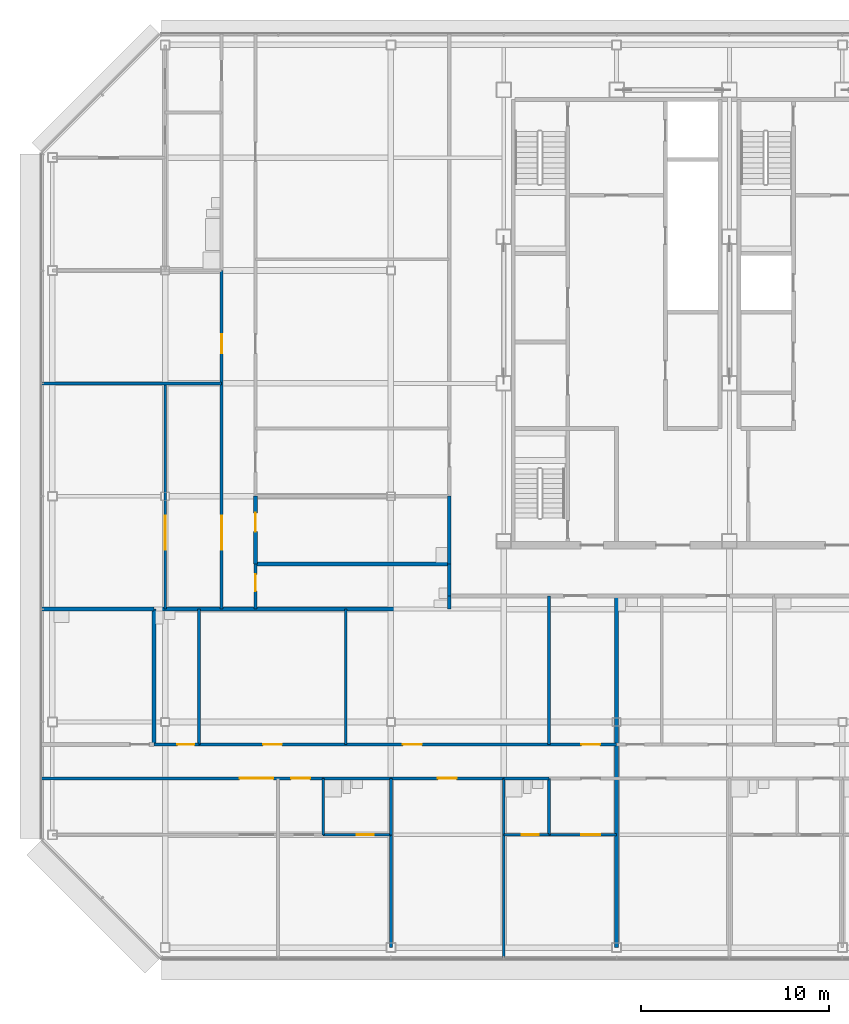
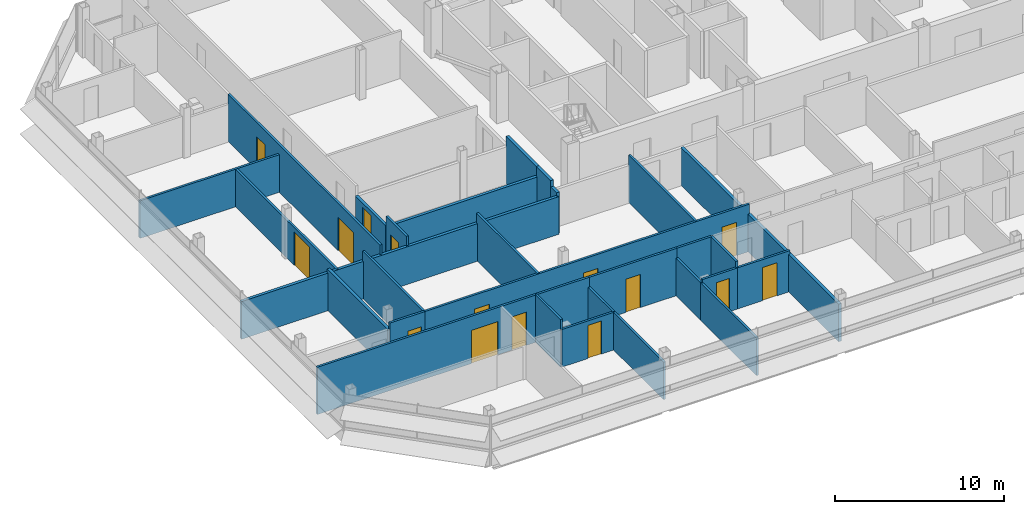
# One storey, part 21 of 28: 31 walls, 15 doors, 15 openings.
"""IFC4 building model written with IfcOpenShell, lengths in metres."""

from ifc_helpers import new_model, si_unit, direction, frame, frame_2d, origin, place, context, subcontext, project, spatial, rectangle, extrude, material, layer, layer_set, type_object, element, fill, save


model = new_model("IFC4")

# Units and contexts
model_context = context("Model", 3, precision=1e-05, world=origin(), true_north=direction((0.0, 1.0)))
body_context = subcontext(model_context, "Body", "Model", "MODEL_VIEW")
ifc_project = project(units=[si_unit("LENGTHUNIT", "METRE"), si_unit("AREAUNIT", "SQUARE_METRE"), si_unit("VOLUMEUNIT", "CUBIC_METRE"), si_unit("PLANEANGLEUNIT", "RADIAN"), si_unit("MASSUNIT", "GRAM", prefix="KILO")], contexts=[model_context])

# Site, building, storey
site_placement = place(None, origin())
site = spatial("IfcSite", under=ifc_project, at=site_placement, CompositionType="ELEMENT")
building_placement = place(site_placement, origin())
building = spatial("IfcBuilding", under=site, at=building_placement, Name="Sorahane Residences", CompositionType="ELEMENT")
storey_placement = place(building_placement, frame((0.0, 0.0, 308.800048828125)))
storey = spatial("IfcBuildingStorey", under=building, at=storey_placement, Name="L73", CompositionType="ELEMENT", Elevation=308.800048828125)

# Walls
ifc_material_1 = material(Name="Concrete blockwork C20 wall", Category="masonry")
ifc_layer_1 = layer(ifc_material_1, 0.199951171875)
ifc_layer_set_1 = layer_set([ifc_layer_1], Name="Corridor wall 200 EI 120")
wall_type_1 = type_object("IfcWallType", Name="Corridor wall 200 EI 120", PredefinedType="SOLIDWALL", material=ifc_layer_set_1)
wall_1_placement = place(storey_placement, frame((3.10009765625, 18.699951171875, 0.0), z_axis=(0.0, 0.0, 1.0), x_axis=(0.0, 1.0, 0.0)))
element("IfcWall", 1, at=wall_1_placement, inside=storey, type_object=wall_type_1, Name="L73 corridor wall", PredefinedType="SOLIDWALL", context=body_context, shape_type="SweptSolid", body=[
    extrude(rectangle(XDim=1.699951171875, YDim=0.199951171875, at=frame_2d((0.85009765625, 0.0))), origin(), (0.0, 0.0, 1.0), 3.419921875),
])
ifc_material_2 = material(Name="Concrete blockwork C20 wall", Category="masonry")
ifc_layer_2 = layer(ifc_material_2, 0.199951171875)
ifc_layer_set_2 = layer_set([ifc_layer_2], Name="Kitchen wall 200 EI 180")
wall_type_2 = type_object("IfcWallType", Name="Kitchen wall 200 EI 180", PredefinedType="SOLIDWALL", material=ifc_layer_set_2)
wall_2_placement = place(storey_placement, frame((-12.60009765625, 10.800048828125, 0.0), z_axis=(0.0, 0.0, 1.0), x_axis=(0.0, 1.0, 0.0)))
element("IfcWall", 2, at=wall_2_placement, inside=storey, type_object=wall_type_2, Name="L73 kitchen wall", PredefinedType="SOLIDWALL", context=body_context, shape_type="SweptSolid", body=[
    extrude(rectangle(XDim=7.199951171875, YDim=0.199951171875, at=frame_2d((3.60009765625, 0.0))), origin(), (0.0, 0.0, 1.0), 2.969970703125),
])

# Wall, opening, door
wall_3_placement = place(storey_placement, frame((-7.199951171875, 20.39990234375, 0.0), z_axis=(0.0, 0.0, 1.0), x_axis=(0.0, 1.0, 0.0)))
wall_3 = element("IfcWall", 3, at=wall_3_placement, inside=storey, type_object=wall_type_2, Name="L73 kitchen wall", PredefinedType="SOLIDWALL", context=body_context, shape_type="SweptSolid", body=[
    extrude(rectangle(XDim=3.60009765625, YDim=0.199951171875, at=frame_2d((1.800048828125, 0.0))), origin(), (0.0, 0.0, 1.0), 2.719970703125),
])
opening_1_placement = place(wall_3_placement, frame((1.719970703125, 0.0, 0.0)))
opening_1 = element("IfcOpeningElement", 4, at=opening_1_placement, cuts=wall_3, Name="Opening L73-34", PredefinedType="OPENING", context=body_context, shape_type="SweptSolid", body=[
    extrude(rectangle(XDim=1.0, YDim=2.39990234375, at=frame_2d((0.5, 1.199951171875))), frame((0.0, 0.10986328125, 0.0), z_axis=(0.0, -1.0, 0.0), x_axis=(1.0, 0.0, 0.0)), (0.0, 0.0, 1.0), 0.219970703125),
])
ifc_material_3 = material(Name="Steel", Category="steel")
door_type_1 = type_object("IfcDoorType", Name="Kitchen door 1000x2400 FD120", OperationType="NOTDEFINED", PredefinedType="DOOR", material=ifc_material_3)
door_1_placement = place(opening_1_placement, frame((1.0, 0.0, 0.0), z_axis=(0.0, 0.0, 1.0), x_axis=(-1.0, 0.0, 0.0)))
door_1 = element("IfcDoor", 5, at=door_1_placement, inside=storey, type_object=door_type_1, Name="Kitchen door L73-34", OperationType="SINGLE_SWING_LEFT", OverallHeight=2.39990234375, OverallWidth=1.0, PredefinedType="DOOR", context=body_context, shape_type="SweptSolid", body=[
    extrude(rectangle(XDim=1.0, YDim=2.39990234375, at=frame_2d((0.5, 1.199951171875))), frame((0.0, 0.02490234375, 0.0), z_axis=(0.0, -1.0, 0.0), x_axis=(1.0, 0.0, 0.0)), (0.0, 0.0, 1.0), 0.050048828125),
])
fill(opening_1, door_1)

# Walls
wall_4_placement = place(storey_placement, frame((3.10009765625, 20.39990234375, 0.0), z_axis=(0.0, 0.0, 1.0), x_axis=(0.0, 1.0, 0.0)))
element("IfcWall", 6, at=wall_4_placement, inside=storey, type_object=wall_type_2, Name="L73 kitchen wall", PredefinedType="SOLIDWALL", context=body_context, shape_type="SweptSolid", body=[
    extrude(rectangle(XDim=3.60009765625, YDim=0.199951171875, at=frame_2d((1.800048828125, 0.0))), origin(), (0.0, 0.0, 1.0), 3.419921875),
])
wall_5_placement = place(storey_placement, frame((-18.60009765625, 18.0, 0.0), z_axis=(0.0, 0.0, 1.0), x_axis=(1.0, 0.0, 0.0)))
element("IfcWall", 7, at=wall_5_placement, inside=storey, type_object=wall_type_2, Name="L73 kitchen wall", PredefinedType="SOLIDWALL", context=body_context, shape_type="SweptSolid", body=[
    extrude(rectangle(XDim=6.0, YDim=0.199951171875, at=frame_2d((3.0, 0.0))), origin(), (0.0, 0.0, 1.0), 2.719970703125),
])
wall_6_placement = place(storey_placement, frame((-7.199951171875, 20.39990234375, 0.0), z_axis=(0.0, 0.0, 1.0), x_axis=(1.0, 0.0, 0.0)))
element("IfcWall", 8, at=wall_6_placement, inside=storey, type_object=wall_type_2, Name="L73 kitchen wall", PredefinedType="SOLIDWALL", context=body_context, shape_type="SweptSolid", body=[
    extrude(rectangle(XDim=10.300048828125, YDim=0.199951171875, at=frame_2d((5.14990234375, 0.0))), origin(), (0.0, 0.0, 1.0), 2.719970703125),
])

# Wall, opening, door
ifc_material_4 = material(Name="Gypsum board partition on steel studs", Category="steel")
ifc_layer_3 = layer(ifc_material_4, 0.14990234375)
ifc_layer_set_3 = layer_set([ifc_layer_3], Name="Partition 150 EI 90")
wall_type_3 = type_object("IfcWallType", Name="Partition 150 EI 90", PredefinedType="PARTITIONING", material=ifc_layer_set_3)
wall_7_placement = place(storey_placement, frame((-12.0, 18.0, 0.0), z_axis=(0.0, 0.0, 1.0), x_axis=(0.0, 1.0, 0.0)))
wall_7 = element("IfcWall", 9, at=wall_7_placement, inside=storey, type_object=wall_type_3, Name="L73 partition", PredefinedType="PARTITIONING", context=body_context, shape_type="SweptSolid", body=[
    extrude(rectangle(XDim=12.0, YDim=0.14990234375, at=frame_2d((6.0, 0.0))), origin(), (0.0, 0.0, 1.0), 2.719970703125),
])
opening_2_placement = place(wall_7_placement, frame((3.159912109375, 0.0, 0.0)))
opening_2 = element("IfcOpeningElement", 10, at=opening_2_placement, cuts=wall_7, Name="Opening L73-40", PredefinedType="OPENING", context=body_context, shape_type="SweptSolid", body=[
    extrude(rectangle(XDim=1.800048828125, YDim=2.39990234375, at=frame_2d((0.89990234375, 1.199951171875))), frame((0.0, 0.0849609375, 0.0), z_axis=(0.0, -1.0, 0.0), x_axis=(1.0, 0.0, 0.0)), (0.0, 0.0, 1.0), 0.169921875),
])
ifc_material_5 = material(Name="Timber veneered fire door", Category="wood")
door_type_2 = type_object("IfcDoorType", Name="Double door 1800x2400 FD30", OperationType="NOTDEFINED", PredefinedType="DOOR", material=ifc_material_5)
door_2_placement = place(opening_2_placement, origin())
door_2 = element("IfcDoor", 11, at=door_2_placement, inside=storey, type_object=door_type_2, Name="Double door L73-40", OperationType="SINGLE_SWING_RIGHT", OverallHeight=2.39990234375, OverallWidth=1.800048828125, PredefinedType="DOOR", context=body_context, shape_type="SweptSolid", body=[
    extrude(rectangle(XDim=1.800048828125, YDim=2.39990234375, at=frame_2d((0.89990234375, 1.199951171875))), frame((0.0, 0.02490234375, 0.0), z_axis=(0.0, -1.0, 0.0), x_axis=(1.0, 0.0, 0.0)), (0.0, 0.0, 1.0), 0.050048828125),
])
fill(opening_2, door_2)

# Wall
wall_8_placement = place(storey_placement, frame((-2.39990234375, 10.800048828125, 0.0), z_axis=(0.0, 0.0, 1.0), x_axis=(0.0, 1.0, 0.0)))
element("IfcWall", 12, at=wall_8_placement, inside=storey, type_object=wall_type_3, Name="L73 partition", PredefinedType="PARTITIONING", context=body_context, shape_type="SweptSolid", body=[
    extrude(rectangle(XDim=7.199951171875, YDim=0.14990234375, at=frame_2d((3.60009765625, 0.0))), origin(), (0.0, 0.0, 1.0), 3.419921875),
])

# Wall, openings, doors
wall_9_placement = place(storey_placement, frame((-9.0, 18.0, 0.0), z_axis=(0.0, 0.0, 1.0), x_axis=(0.0, 1.0, 0.0)))
wall_9 = element("IfcWall", 13, at=wall_9_placement, inside=storey, type_object=wall_type_3, Name="L73 partition", PredefinedType="PARTITIONING", context=body_context, shape_type="SweptSolid", body=[
    extrude(rectangle(XDim=18.0, YDim=0.14990234375, at=frame_2d((9.0, 0.0))), origin(), (0.0, 0.0, 1.0), 3.419921875),
])
opening_3_placement = place(wall_9_placement, frame((3.159912109375, 0.0, 0.0)))
opening_3 = element("IfcOpeningElement", 14, at=opening_3_placement, cuts=wall_9, Name="Opening L73-37", PredefinedType="OPENING", context=body_context, shape_type="SweptSolid", body=[
    extrude(rectangle(XDim=1.800048828125, YDim=2.39990234375, at=frame_2d((0.89990234375, 1.199951171875))), frame((0.0, 0.0849609375, 0.0), z_axis=(0.0, -1.0, 0.0), x_axis=(1.0, 0.0, 0.0)), (0.0, 0.0, 1.0), 0.169921875),
])
opening_4_placement = place(wall_9_placement, frame((13.60009765625, 0.0, 0.0)))
opening_4 = element("IfcOpeningElement", 15, at=opening_4_placement, cuts=wall_9, Name="Opening L73-38", PredefinedType="OPENING", context=body_context, shape_type="SweptSolid", body=[
    extrude(rectangle(XDim=1.0, YDim=2.39990234375, at=frame_2d((0.5, 1.199951171875))), frame((0.0, 0.0849609375, 0.0), z_axis=(0.0, -1.0, 0.0), x_axis=(1.0, 0.0, 0.0)), (0.0, 0.0, 1.0), 0.169921875),
])
door_3_placement = place(opening_3_placement, origin())
door_3 = element("IfcDoor", 16, at=door_3_placement, inside=storey, type_object=door_type_2, Name="Double door L73-37", OperationType="SINGLE_SWING_RIGHT", OverallHeight=2.39990234375, OverallWidth=1.800048828125, PredefinedType="DOOR", context=body_context, shape_type="SweptSolid", body=[
    extrude(rectangle(XDim=1.800048828125, YDim=2.39990234375, at=frame_2d((0.89990234375, 1.199951171875))), frame((0.0, 0.02490234375, 0.0), z_axis=(0.0, -1.0, 0.0), x_axis=(1.0, 0.0, 0.0)), (0.0, 0.0, 1.0), 0.050048828125),
])
fill(opening_3, door_3)
ifc_material_6 = material(Name="Timber veneered fire door", Category="wood")
door_type_3 = type_object("IfcDoorType", Name="Room door 1000x2400 FD30", OperationType="NOTDEFINED", PredefinedType="DOOR", material=ifc_material_6)
door_4_placement = place(opening_4_placement, origin())
door_4 = element("IfcDoor", 17, at=door_4_placement, inside=storey, type_object=door_type_3, Name="Room door L73-38", OperationType="SINGLE_SWING_LEFT", OverallHeight=2.39990234375, OverallWidth=1.0, PredefinedType="DOOR", context=body_context, shape_type="SweptSolid", body=[
    extrude(rectangle(XDim=1.0, YDim=2.39990234375, at=frame_2d((0.5, 1.199951171875))), frame((0.0, 0.02490234375, 0.0), z_axis=(0.0, -1.0, 0.0), x_axis=(1.0, 0.0, 0.0)), (0.0, 0.0, 1.0), 0.050048828125),
])
fill(opening_4, door_4)

# Walls
wall_10_placement = place(storey_placement, frame((0.0, 0.0, 0.0), z_axis=(0.0, 0.0, 1.0), x_axis=(0.0, 1.0, 0.0)))
element("IfcWall", 18, at=wall_10_placement, inside=storey, type_object=wall_type_3, Name="L73 partition", PredefinedType="PARTITIONING", context=body_context, shape_type="SweptSolid", body=[
    extrude(rectangle(XDim=6.0, YDim=0.14990234375, at=frame_2d((3.0, 0.0))), origin(), (0.0, 0.0, 1.0), 2.719970703125),
])
wall_11_placement = place(storey_placement, frame((6.0, -0.60009765625, 0.0), z_axis=(0.0, 0.0, 1.0), x_axis=(0.0, 1.0, 0.0)))
element("IfcWall", 19, at=wall_11_placement, inside=storey, type_object=wall_type_3, Name="L73 partition", PredefinedType="PARTITIONING", context=body_context, shape_type="SweptSolid", body=[
    extrude(rectangle(XDim=6.60009765625, YDim=0.14990234375, at=frame_2d((3.300048828125, 0.0))), origin(), (0.0, 0.0, 1.0), 2.719970703125),
])
wall_12_placement = place(storey_placement, frame((8.39990234375, 10.800048828125, 0.0), z_axis=(0.0, 0.0, 1.0), x_axis=(0.0, 1.0, 0.0)))
element("IfcWall", 20, at=wall_12_placement, inside=storey, type_object=wall_type_3, Name="L73 partition", PredefinedType="PARTITIONING", context=body_context, shape_type="SweptSolid", body=[
    extrude(rectangle(XDim=7.89990234375, YDim=0.14990234375, at=frame_2d((3.949951171875, 0.0))), origin(), (0.0, 0.0, 1.0), 3.419921875),
])

# Wall, openings, doors
wall_13_placement = place(storey_placement, frame((-10.199951171875, 10.800048828125, 0.0), z_axis=(0.0, 0.0, 1.0), x_axis=(1.0, 0.0, 0.0)))
wall_13 = element("IfcWall", 21, at=wall_13_placement, inside=storey, type_object=wall_type_3, Name="L73 partition", PredefinedType="PARTITIONING", context=body_context, shape_type="SweptSolid", body=[
    extrude(rectangle(XDim=22.199951171875, YDim=0.14990234375, at=frame_2d((11.10009765625, 0.0))), origin(), (0.0, 0.0, 1.0), 3.419921875),
])
opening_5_placement = place(wall_13_placement, frame((20.320068359375, 0.0, 0.0)))
opening_5 = element("IfcOpeningElement", 22, at=opening_5_placement, cuts=wall_13, Name="Opening L73-01", PredefinedType="OPENING", context=body_context, shape_type="SweptSolid", body=[
    extrude(rectangle(XDim=1.0, YDim=2.39990234375, at=frame_2d((0.5, 1.199951171875))), frame((0.0, 0.0849609375, 0.0), z_axis=(0.0, -1.0, 0.0), x_axis=(1.0, 0.0, 0.0)), (0.0, 0.0, 1.0), 0.169921875),
])
opening_6_placement = place(wall_13_placement, frame((3.39990234375, 0.0, 0.0)))
opening_6 = element("IfcOpeningElement", 23, at=opening_6_placement, cuts=wall_13, Name="Opening L73-04", PredefinedType="OPENING", context=body_context, shape_type="SweptSolid", body=[
    extrude(rectangle(XDim=1.0, YDim=2.39990234375, at=frame_2d((0.5, 1.199951171875))), frame((0.0, 0.0849609375, 0.0), z_axis=(0.0, -1.0, 0.0), x_axis=(1.0, 0.0, 0.0)), (0.0, 0.0, 1.0), 0.169921875),
])
opening_7_placement = place(wall_13_placement, frame((10.840087890625, 0.0, 0.0)))
opening_7 = element("IfcOpeningElement", 24, at=opening_7_placement, cuts=wall_13, Name="Opening L73-05", PredefinedType="OPENING", context=body_context, shape_type="SweptSolid", body=[
    extrude(rectangle(XDim=1.0, YDim=2.39990234375, at=frame_2d((0.5, 1.199951171875))), frame((0.0, 0.0849609375, 0.0), z_axis=(0.0, -1.0, 0.0), x_axis=(1.0, 0.0, 0.0)), (0.0, 0.0, 1.0), 0.169921875),
])
door_5_placement = place(opening_5_placement, frame((1.0, 0.0, 0.0), z_axis=(0.0, 0.0, 1.0), x_axis=(-1.0, 0.0, 0.0)))
door_5 = element("IfcDoor", 25, at=door_5_placement, inside=storey, type_object=door_type_3, Name="Room door L73-01", OperationType="SINGLE_SWING_LEFT", OverallHeight=2.39990234375, OverallWidth=1.0, PredefinedType="DOOR", context=body_context, shape_type="SweptSolid", body=[
    extrude(rectangle(XDim=1.0, YDim=2.39990234375, at=frame_2d((0.5, 1.199951171875))), frame((0.0, 0.02490234375, 0.0), z_axis=(0.0, -1.0, 0.0), x_axis=(1.0, 0.0, 0.0)), (0.0, 0.0, 1.0), 0.050048828125),
])
fill(opening_5, door_5)
door_6_placement = place(opening_6_placement, origin())
door_6 = element("IfcDoor", 26, at=door_6_placement, inside=storey, type_object=door_type_3, Name="Room door L73-04", OperationType="SINGLE_SWING_LEFT", OverallHeight=2.39990234375, OverallWidth=1.0, PredefinedType="DOOR", context=body_context, shape_type="SweptSolid", body=[
    extrude(rectangle(XDim=1.0, YDim=2.39990234375, at=frame_2d((0.5, 1.199951171875))), frame((0.0, 0.02490234375, 0.0), z_axis=(0.0, -1.0, 0.0), x_axis=(1.0, 0.0, 0.0)), (0.0, 0.0, 1.0), 0.050048828125),
])
fill(opening_6, door_6)
door_7_placement = place(opening_7_placement, origin())
door_7 = element("IfcDoor", 27, at=door_7_placement, inside=storey, type_object=door_type_3, Name="Room door L73-05", OperationType="SINGLE_SWING_LEFT", OverallHeight=2.39990234375, OverallWidth=1.0, PredefinedType="DOOR", context=body_context, shape_type="SweptSolid", body=[
    extrude(rectangle(XDim=1.0, YDim=2.39990234375, at=frame_2d((0.5, 1.199951171875))), frame((0.0, 0.02490234375, 0.0), z_axis=(0.0, -1.0, 0.0), x_axis=(1.0, 0.0, 0.0)), (0.0, 0.0, 1.0), 0.050048828125),
])
fill(opening_7, door_7)

# Wall
wall_14_placement = place(storey_placement, frame((-18.60009765625, 30.0, 0.0), z_axis=(0.0, 0.0, 1.0), x_axis=(1.0, 0.0, 0.0)))
element("IfcWall", 28, at=wall_14_placement, inside=storey, type_object=wall_type_3, Name="L73 partition", PredefinedType="PARTITIONING", context=body_context, shape_type="SweptSolid", body=[
    extrude(rectangle(XDim=9.60009765625, YDim=0.14990234375, at=frame_2d((4.800048828125, 0.0))), origin(), (0.0, 0.0, 1.0), 2.719970703125),
])

# Wall, opening, door
wall_15_placement = place(storey_placement, frame((8.39990234375, 6.0, 0.0), z_axis=(0.0, 0.0, 1.0), x_axis=(1.0, 0.0, 0.0)))
wall_15 = element("IfcWall", 29, at=wall_15_placement, inside=storey, type_object=wall_type_3, Name="L73 partition", PredefinedType="PARTITIONING", context=body_context, shape_type="SweptSolid", body=[
    extrude(rectangle(XDim=3.60009765625, YDim=0.14990234375, at=frame_2d((1.800048828125, 0.0))), origin(), (0.0, 0.0, 1.0), 2.969970703125),
])
opening_8_placement = place(wall_15_placement, frame((1.719970703125, 0.0, 0.0)))
opening_8 = element("IfcOpeningElement", 30, at=opening_8_placement, cuts=wall_15, Name="Opening L73-13", PredefinedType="OPENING", context=body_context, shape_type="SweptSolid", body=[
    extrude(rectangle(XDim=1.0, YDim=2.39990234375, at=frame_2d((0.5, 1.199951171875))), frame((0.0, 0.0849609375, 0.0), z_axis=(0.0, -1.0, 0.0), x_axis=(1.0, 0.0, 0.0)), (0.0, 0.0, 1.0), 0.169921875),
])
door_8_placement = place(opening_8_placement, frame((1.0, 0.0, 0.0), z_axis=(0.0, 0.0, 1.0), x_axis=(-1.0, 0.0, 0.0)))
door_8 = element("IfcDoor", 31, at=door_8_placement, inside=storey, type_object=door_type_3, Name="Room door L73-13", OperationType="SINGLE_SWING_RIGHT", OverallHeight=2.39990234375, OverallWidth=1.0, PredefinedType="DOOR", context=body_context, shape_type="SweptSolid", body=[
    extrude(rectangle(XDim=1.0, YDim=2.39990234375, at=frame_2d((0.5, 1.199951171875))), frame((0.0, 0.02490234375, 0.0), z_axis=(0.0, -1.0, 0.0), x_axis=(1.0, 0.0, 0.0)), (0.0, 0.0, 1.0), 0.050048828125),
])
fill(opening_8, door_8)

# Wall, openings, doors
wall_16_placement = place(storey_placement, frame((-18.60009765625, 9.0, 0.0), z_axis=(0.0, 0.0, 1.0), x_axis=(1.0, 0.0, 0.0)))
wall_16 = element("IfcWall", 32, at=wall_16_placement, inside=storey, type_object=wall_type_3, Name="L73 partition", PredefinedType="PARTITIONING", context=body_context, shape_type="SweptSolid", body=[
    extrude(rectangle(XDim=15.0, YDim=0.14990234375, at=frame_2d((7.5, 0.0))), origin(), (0.0, 0.0, 1.0), 3.419921875),
])
opening_9_placement = place(wall_16_placement, frame((10.550048828125, 0.0, 0.0)))
opening_9 = element("IfcOpeningElement", 33, at=opening_9_placement, cuts=wall_16, Name="Opening L73-06", PredefinedType="OPENING", context=body_context, shape_type="SweptSolid", body=[
    extrude(rectangle(XDim=1.800048828125, YDim=2.39990234375, at=frame_2d((0.89990234375, 1.199951171875))), frame((0.0, 0.0849609375, 0.0), z_axis=(0.0, -1.0, 0.0), x_axis=(1.0, 0.0, 0.0)), (0.0, 0.0, 1.0), 0.169921875),
])
opening_10_placement = place(wall_16_placement, frame((13.300048828125, 0.0, 0.0)))
opening_10 = element("IfcOpeningElement", 34, at=opening_10_placement, cuts=wall_16, Name="Opening L73-07", PredefinedType="OPENING", context=body_context, shape_type="SweptSolid", body=[
    extrude(rectangle(XDim=1.0, YDim=2.39990234375, at=frame_2d((0.5, 1.199951171875))), frame((0.0, 0.0849609375, 0.0), z_axis=(0.0, -1.0, 0.0), x_axis=(1.0, 0.0, 0.0)), (0.0, 0.0, 1.0), 0.169921875),
])
door_9_placement = place(opening_9_placement, frame((1.800048828125, 0.0, 0.0), z_axis=(0.0, 0.0, 1.0), x_axis=(-1.0, 0.0, 0.0)))
door_9 = element("IfcDoor", 35, at=door_9_placement, inside=storey, type_object=door_type_2, Name="Double door L73-06", OperationType="SINGLE_SWING_LEFT", OverallHeight=2.39990234375, OverallWidth=1.800048828125, PredefinedType="DOOR", context=body_context, shape_type="SweptSolid", body=[
    extrude(rectangle(XDim=1.800048828125, YDim=2.39990234375, at=frame_2d((0.89990234375, 1.199951171875))), frame((0.0, 0.02490234375, 0.0), z_axis=(0.0, -1.0, 0.0), x_axis=(1.0, 0.0, 0.0)), (0.0, 0.0, 1.0), 0.050048828125),
])
fill(opening_9, door_9)
door_10_placement = place(opening_10_placement, frame((1.0, 0.0, 0.0), z_axis=(0.0, 0.0, 1.0), x_axis=(-1.0, 0.0, 0.0)))
door_10 = element("IfcDoor", 36, at=door_10_placement, inside=storey, type_object=door_type_3, Name="Room door L73-07", OperationType="SINGLE_SWING_LEFT", OverallHeight=2.39990234375, OverallWidth=1.0, PredefinedType="DOOR", context=body_context, shape_type="SweptSolid", body=[
    extrude(rectangle(XDim=1.0, YDim=2.39990234375, at=frame_2d((0.5, 1.199951171875))), frame((0.0, 0.02490234375, 0.0), z_axis=(0.0, -1.0, 0.0), x_axis=(1.0, 0.0, 0.0)), (0.0, 0.0, 1.0), 0.050048828125),
])
fill(opening_10, door_10)

# Wall, opening, door
wall_17_placement = place(storey_placement, frame((0.0, 9.0, 0.0), z_axis=(0.0, 0.0, 1.0), x_axis=(1.0, 0.0, 0.0)))
wall_17 = element("IfcWall", 37, at=wall_17_placement, inside=storey, type_object=wall_type_3, Name="L73 partition", PredefinedType="PARTITIONING", context=body_context, shape_type="SweptSolid", body=[
    extrude(rectangle(XDim=6.0, YDim=0.14990234375, at=frame_2d((3.0, 0.0))), origin(), (0.0, 0.0, 1.0), 3.419921875),
])
opening_11_placement = place(wall_17_placement, frame((2.5, 0.0, 0.0)))
opening_11 = element("IfcOpeningElement", 38, at=opening_11_placement, cuts=wall_17, Name="Opening L73-08", PredefinedType="OPENING", context=body_context, shape_type="SweptSolid", body=[
    extrude(rectangle(XDim=1.0, YDim=2.39990234375, at=frame_2d((0.5, 1.199951171875))), frame((0.0, 0.0849609375, 0.0), z_axis=(0.0, -1.0, 0.0), x_axis=(1.0, 0.0, 0.0)), (0.0, 0.0, 1.0), 0.169921875),
])
door_11_placement = place(opening_11_placement, frame((1.0, 0.0, 0.0), z_axis=(0.0, 0.0, 1.0), x_axis=(-1.0, 0.0, 0.0)))
door_11 = element("IfcDoor", 39, at=door_11_placement, inside=storey, type_object=door_type_3, Name="Room door L73-08", OperationType="SINGLE_SWING_RIGHT", OverallHeight=2.39990234375, OverallWidth=1.0, PredefinedType="DOOR", context=body_context, shape_type="SweptSolid", body=[
    extrude(rectangle(XDim=1.0, YDim=2.39990234375, at=frame_2d((0.5, 1.199951171875))), frame((0.0, 0.02490234375, 0.0), z_axis=(0.0, -1.0, 0.0), x_axis=(1.0, 0.0, 0.0)), (0.0, 0.0, 1.0), 0.050048828125),
])
fill(opening_11, door_11)

# Walls
ifc_material_7 = material(Name="Concrete blockwork C20 wall", Category="masonry")
ifc_layer_4 = layer(ifc_material_7, 0.199951171875)
ifc_layer_set_4 = layer_set([ifc_layer_4], Name="Party wall 200 EI 120")
wall_type_4 = type_object("IfcWallType", Name="Party wall 200 EI 120", PredefinedType="SOLIDWALL", material=ifc_layer_set_4)
wall_18_placement = place(storey_placement, frame((12.0, 0.0, 0.0), z_axis=(0.0, 0.0, 1.0), x_axis=(0.0, 1.0, 0.0)))
element("IfcWall", 40, at=wall_18_placement, inside=storey, type_object=wall_type_4, Name="L73 party wall", PredefinedType="SOLIDWALL", context=body_context, shape_type="SweptSolid", body=[
    extrude(rectangle(XDim=18.699951171875, YDim=0.199951171875, at=frame_2d((9.35009765625, 0.0))), origin(), (0.0, 0.0, 1.0), 2.719970703125),
])
wall_19_placement = place(storey_placement, frame((3.10009765625, 18.0, 0.0), z_axis=(0.0, 0.0, 1.0), x_axis=(0.0, 1.0, 0.0)))
element("IfcWall", 41, at=wall_19_placement, inside=storey, type_object=wall_type_4, Name="L73 party wall", PredefinedType="SOLIDWALL", context=body_context, shape_type="SweptSolid", body=[
    extrude(rectangle(XDim=0.699951171875, YDim=0.199951171875, at=frame_2d((0.35009765625, 0.0))), origin(), (0.0, 0.0, 1.0), 2.969970703125),
])
wall_20_placement = place(storey_placement, frame((-12.60009765625, 18.0, 0.0), z_axis=(0.0, 0.0, 1.0), x_axis=(1.0, 0.0, 0.0)))
element("IfcWall", 42, at=wall_20_placement, inside=storey, type_object=wall_type_4, Name="L73 party wall", PredefinedType="SOLIDWALL", context=body_context, shape_type="SweptSolid", body=[
    extrude(rectangle(XDim=15.7001953125, YDim=0.199951171875, at=frame_2d((7.85009765625, 0.0))), origin(), (0.0, 0.0, 1.0), 2.719970703125),
])
ifc_material_8 = material(Name="Gypsum board partition on steel studs", Category="steel")
ifc_layer_5 = layer(ifc_material_8, 0.14990234375)
ifc_layer_set_5 = layer_set([ifc_layer_5], Name="Wet wall 150 EI 90")
wall_type_5 = type_object("IfcWallType", Name="Wet wall 150 EI 90", PredefinedType="PARTITIONING", material=ifc_layer_set_5)
wall_21_placement = place(storey_placement, frame((-10.199951171875, 10.800048828125, 0.0), z_axis=(0.0, 0.0, 1.0), x_axis=(0.0, 1.0, 0.0)))
element("IfcWall", 43, at=wall_21_placement, inside=storey, type_object=wall_type_5, Name="L73 wet wall", PredefinedType="PARTITIONING", context=body_context, shape_type="SweptSolid", body=[
    extrude(rectangle(XDim=7.199951171875, YDim=0.14990234375, at=frame_2d((3.60009765625, 0.0))), origin(), (0.0, 0.0, 1.0), 3.419921875),
])
wall_22_placement = place(storey_placement, frame((-3.60009765625, 6.0, 0.0), z_axis=(0.0, 0.0, 1.0), x_axis=(0.0, 1.0, 0.0)))
element("IfcWall", 44, at=wall_22_placement, inside=storey, type_object=wall_type_5, Name="L73 wet wall", PredefinedType="PARTITIONING", context=body_context, shape_type="SweptSolid", body=[
    extrude(rectangle(XDim=3.0, YDim=0.14990234375, at=frame_2d((1.5, 0.0))), origin(), (0.0, 0.0, 1.0), 3.419921875),
])

# Wall, opening, door
wall_23_placement = place(storey_placement, frame((-7.199951171875, 18.0, 0.0), z_axis=(0.0, 0.0, 1.0), x_axis=(0.0, 1.0, 0.0)))
wall_23 = element("IfcWall", 45, at=wall_23_placement, inside=storey, type_object=wall_type_5, Name="L73 wet wall", PredefinedType="PARTITIONING", context=body_context, shape_type="SweptSolid", body=[
    extrude(rectangle(XDim=2.39990234375, YDim=0.14990234375, at=frame_2d((1.199951171875, 0.0))), origin(), (0.0, 0.0, 1.0), 3.419921875),
])
opening_12_placement = place(wall_23_placement, frame((0.949951171875, 0.0, 0.0)))
opening_12 = element("IfcOpeningElement", 46, at=opening_12_placement, cuts=wall_23, Name="Opening L73-33", PredefinedType="OPENING", context=body_context, shape_type="SweptSolid", body=[
    extrude(rectangle(XDim=0.89990234375, YDim=2.39990234375, at=frame_2d((0.449951171875, 1.199951171875))), frame((0.0, 0.0849609375, 0.0), z_axis=(0.0, -1.0, 0.0), x_axis=(1.0, 0.0, 0.0)), (0.0, 0.0, 1.0), 0.169921875),
])
ifc_material_9 = material(Name="Timber veneered fire door", Category="wood")
door_type_4 = type_object("IfcDoorType", Name="Bathroom door 900x2400 FD30", OperationType="NOTDEFINED", PredefinedType="DOOR", material=ifc_material_9)
door_12_placement = place(opening_12_placement, origin())
door_12 = element("IfcDoor", 47, at=door_12_placement, inside=storey, type_object=door_type_4, Name="Bathroom door L73-33", OperationType="SINGLE_SWING_LEFT", OverallHeight=2.39990234375, OverallWidth=0.89990234375, PredefinedType="DOOR", context=body_context, shape_type="SweptSolid", body=[
    extrude(rectangle(XDim=0.89990234375, YDim=2.39990234375, at=frame_2d((0.449951171875, 1.199951171875))), frame((0.0, 0.02490234375, 0.0), z_axis=(0.0, -1.0, 0.0), x_axis=(1.0, 0.0, 0.0)), (0.0, 0.0, 1.0), 0.050048828125),
])
fill(opening_12, door_12)

# Walls
for number, where, z_axis, x_axis, name in (
    (48, (0.0, 6.0, 0.0), (0.0, 0.0, 1.0), (0.0, 1.0, 0.0), "L73 wet wall"),
    (49, (6.0, 6.0, 0.0), (0.0, 0.0, 1.0), (0.0, 1.0, 0.0), "L73 wet wall"),
):
    element("IfcWall", number, at=place(storey_placement, frame(where, z_axis=z_axis, x_axis=x_axis)), inside=storey, type_object=wall_type_5, Name=name, PredefinedType="PARTITIONING", context=body_context, shape_type="SweptSolid", body=[
        extrude(rectangle(XDim=3.0, YDim=0.14990234375, at=frame_2d((1.5, 0.0))), origin(), (0.0, 0.0, 1.0), 2.719970703125),
    ])
wall_24_placement = place(storey_placement, frame((8.39990234375, 6.0, 0.0), z_axis=(0.0, 0.0, 1.0), x_axis=(0.0, 1.0, 0.0)))
element("IfcWall", 50, at=wall_24_placement, inside=storey, type_object=wall_type_5, Name="L73 wet wall", PredefinedType="PARTITIONING", context=body_context, shape_type="SweptSolid", body=[
    extrude(rectangle(XDim=3.0, YDim=0.14990234375, at=frame_2d((1.5, 0.0))), origin(), (0.0, 0.0, 1.0), 3.419921875),
])

# Wall, opening, door
wall_25_placement = place(storey_placement, frame((-12.60009765625, 10.800048828125, 0.0), z_axis=(0.0, 0.0, 1.0), x_axis=(1.0, 0.0, 0.0)))
wall_25 = element("IfcWall", 51, at=wall_25_placement, inside=storey, type_object=wall_type_5, Name="L73 wet wall", PredefinedType="PARTITIONING", context=body_context, shape_type="SweptSolid", body=[
    extrude(rectangle(XDim=2.400146484375, YDim=0.14990234375, at=frame_2d((1.2001953125, 0.0))), origin(), (0.0, 0.0, 1.0), 3.419921875),
])
opening_13_placement = place(wall_25_placement, frame((1.25, 0.0, 0.0)))
opening_13 = element("IfcOpeningElement", 52, at=opening_13_placement, cuts=wall_25, Name="Opening L73-03", PredefinedType="OPENING", context=body_context, shape_type="SweptSolid", body=[
    extrude(rectangle(XDim=0.89990234375, YDim=2.39990234375, at=frame_2d((0.449951171875, 1.199951171875))), frame((0.0, 0.0849609375, 0.0), z_axis=(0.0, -1.0, 0.0), x_axis=(1.0, 0.0, 0.0)), (0.0, 0.0, 1.0), 0.169921875),
])
door_13_placement = place(opening_13_placement, frame((0.89990234375, 0.0, 0.0), z_axis=(0.0, 0.0, 1.0), x_axis=(-1.0, 0.0, 0.0)))
door_13 = element("IfcDoor", 53, at=door_13_placement, inside=storey, type_object=door_type_4, Name="Bathroom door L73-03", OperationType="SINGLE_SWING_RIGHT", OverallHeight=2.39990234375, OverallWidth=0.89990234375, PredefinedType="DOOR", context=body_context, shape_type="SweptSolid", body=[
    extrude(rectangle(XDim=0.89990234375, YDim=2.39990234375, at=frame_2d((0.449951171875, 1.199951171875))), frame((0.0, 0.02490234375, 0.0), z_axis=(0.0, -1.0, 0.0), x_axis=(1.0, 0.0, 0.0)), (0.0, 0.0, 1.0), 0.050048828125),
])
fill(opening_13, door_13)

wall_26_placement = place(storey_placement, frame((-3.60009765625, 6.0, 0.0), z_axis=(0.0, 0.0, 1.0), x_axis=(1.0, 0.0, 0.0)))
wall_26 = element("IfcWall", 54, at=wall_26_placement, inside=storey, type_object=wall_type_5, Name="L73 wet wall", PredefinedType="PARTITIONING", context=body_context, shape_type="SweptSolid", body=[
    extrude(rectangle(XDim=3.60009765625, YDim=0.14990234375, at=frame_2d((1.800048828125, 0.0))), origin(), (0.0, 0.0, 1.0), 2.719970703125),
])
opening_14_placement = place(wall_26_placement, frame((1.7900390625, 0.0, 0.0)))
opening_14 = element("IfcOpeningElement", 55, at=opening_14_placement, cuts=wall_26, Name="Opening L73-12", PredefinedType="OPENING", context=body_context, shape_type="SweptSolid", body=[
    extrude(rectangle(XDim=0.89990234375, YDim=2.39990234375, at=frame_2d((0.449951171875, 1.199951171875))), frame((0.0, 0.0849609375, 0.0), z_axis=(0.0, -1.0, 0.0), x_axis=(1.0, 0.0, 0.0)), (0.0, 0.0, 1.0), 0.169921875),
])
door_14_placement = place(opening_14_placement, frame((0.89990234375, 0.0, 0.0), z_axis=(0.0, 0.0, 1.0), x_axis=(-1.0, 0.0, 0.0)))
door_14 = element("IfcDoor", 56, at=door_14_placement, inside=storey, type_object=door_type_4, Name="Bathroom door L73-12", OperationType="SINGLE_SWING_LEFT", OverallHeight=2.39990234375, OverallWidth=0.89990234375, PredefinedType="DOOR", context=body_context, shape_type="SweptSolid", body=[
    extrude(rectangle(XDim=0.89990234375, YDim=2.39990234375, at=frame_2d((0.449951171875, 1.199951171875))), frame((0.0, 0.02490234375, 0.0), z_axis=(0.0, -1.0, 0.0), x_axis=(1.0, 0.0, 0.0)), (0.0, 0.0, 1.0), 0.050048828125),
])
fill(opening_14, door_14)

wall_27_placement = place(storey_placement, frame((6.0, 6.0, 0.0), z_axis=(0.0, 0.0, 1.0), x_axis=(1.0, 0.0, 0.0)))
wall_27 = element("IfcWall", 57, at=wall_27_placement, inside=storey, type_object=wall_type_5, Name="L73 wet wall", PredefinedType="PARTITIONING", context=body_context, shape_type="SweptSolid", body=[
    extrude(rectangle(XDim=2.39990234375, YDim=0.14990234375, at=frame_2d((1.199951171875, 0.0))), origin(), (0.0, 0.0, 1.0), 2.969970703125),
])
opening_15_placement = place(wall_27_placement, frame((0.949951171875, 0.0, 0.0)))
opening_15 = element("IfcOpeningElement", 58, at=opening_15_placement, cuts=wall_27, Name="Opening L73-14", PredefinedType="OPENING", context=body_context, shape_type="SweptSolid", body=[
    extrude(rectangle(XDim=0.89990234375, YDim=2.39990234375, at=frame_2d((0.449951171875, 1.199951171875))), frame((0.0, 0.0849609375, 0.0), z_axis=(0.0, -1.0, 0.0), x_axis=(1.0, 0.0, 0.0)), (0.0, 0.0, 1.0), 0.169921875),
])
door_15_placement = place(opening_15_placement, frame((0.89990234375, 0.0, 0.0), z_axis=(0.0, 0.0, 1.0), x_axis=(-1.0, 0.0, 0.0)))
door_15 = element("IfcDoor", 59, at=door_15_placement, inside=storey, type_object=door_type_4, Name="Bathroom door L73-14", OperationType="SINGLE_SWING_RIGHT", OverallHeight=2.39990234375, OverallWidth=0.89990234375, PredefinedType="DOOR", context=body_context, shape_type="SweptSolid", body=[
    extrude(rectangle(XDim=0.89990234375, YDim=2.39990234375, at=frame_2d((0.449951171875, 1.199951171875))), frame((0.0, 0.02490234375, 0.0), z_axis=(0.0, -1.0, 0.0), x_axis=(1.0, 0.0, 0.0)), (0.0, 0.0, 1.0), 0.050048828125),
])
fill(opening_15, door_15)

# Walls
wall_28_placement = place(storey_placement, frame((-3.60009765625, 9.0, 0.0), z_axis=(0.0, 0.0, 1.0), x_axis=(1.0, 0.0, 0.0)))
element("IfcWall", 60, at=wall_28_placement, inside=storey, type_object=wall_type_5, Name="L73 wet wall", PredefinedType="PARTITIONING", context=body_context, shape_type="SweptSolid", body=[
    extrude(rectangle(XDim=3.60009765625, YDim=0.14990234375, at=frame_2d((1.800048828125, 0.0))), origin(), (0.0, 0.0, 1.0), 3.419921875),
])
wall_29_placement = place(storey_placement, frame((6.0, 9.0, 0.0), z_axis=(0.0, 0.0, 1.0), x_axis=(1.0, 0.0, 0.0)))
element("IfcWall", 61, at=wall_29_placement, inside=storey, type_object=wall_type_5, Name="L73 wet wall", PredefinedType="PARTITIONING", context=body_context, shape_type="SweptSolid", body=[
    extrude(rectangle(XDim=2.39990234375, YDim=0.14990234375, at=frame_2d((1.199951171875, 0.0))), origin(), (0.0, 0.0, 1.0), 3.419921875),
])

save(model, "model.ifc")
